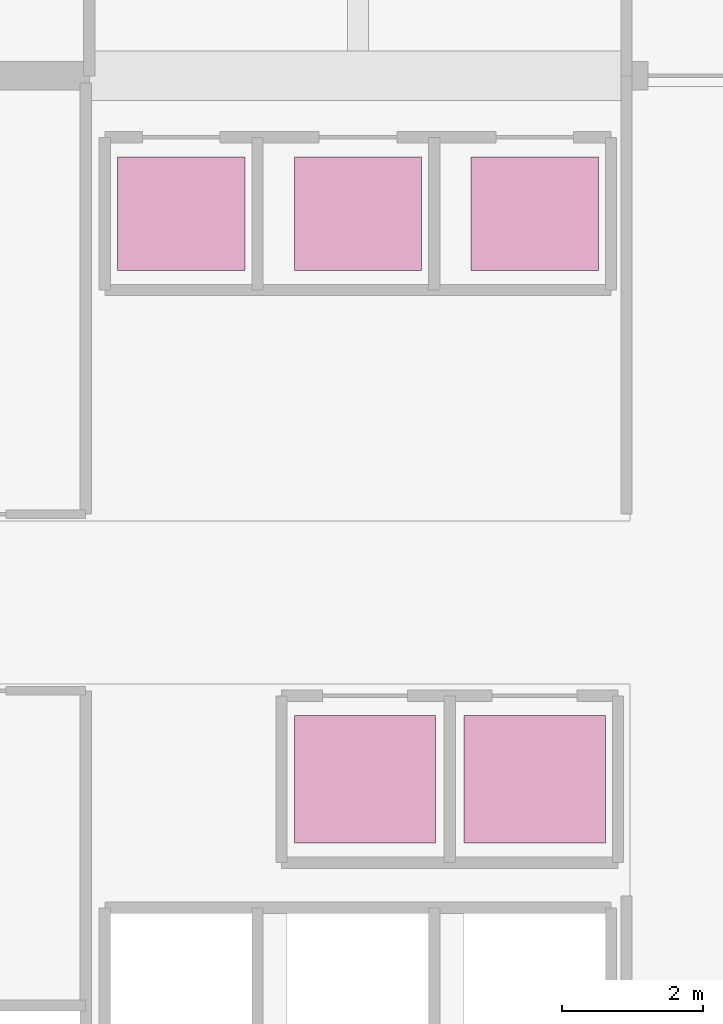
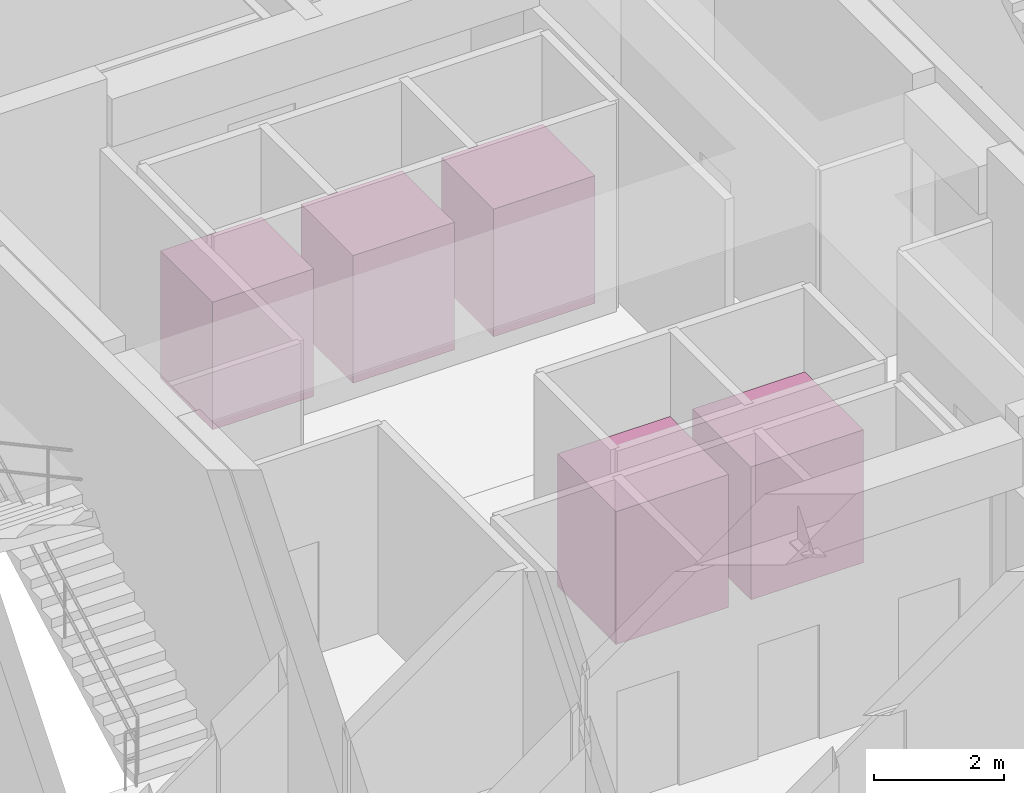
# One storey, part 19 of 19: 5 transport elements.
"""IFC4 building model written with IfcOpenShell, lengths in metres."""

from ifc_helpers import new_model, si_unit, direction, frame, origin, origin_2d, place, context, subcontext, project, spatial, rectangle, extrude, material, type_object, element, save


model = new_model("IFC4")

# Units and contexts
model_context = context("Model", 3, precision=1e-05, world=origin(), true_north=direction((0.0, 1.0)))
body_context = subcontext(model_context, "Body", "Model", "MODEL_VIEW")
ifc_project = project(units=[si_unit("LENGTHUNIT", "METRE"), si_unit("AREAUNIT", "SQUARE_METRE"), si_unit("VOLUMEUNIT", "CUBIC_METRE"), si_unit("PLANEANGLEUNIT", "RADIAN"), si_unit("MASSUNIT", "GRAM", prefix="KILO")], contexts=[model_context])

# Site, building, storey
site_placement = place(None, origin())
site = spatial("IfcSite", under=ifc_project, at=site_placement, CompositionType="ELEMENT")
building_placement = place(site_placement, origin())
building = spatial("IfcBuilding", under=site, at=building_placement, Name="Veldorina Hangang Commons", CompositionType="ELEMENT")
storey_placement = place(building_placement, origin())
storey = spatial("IfcBuildingStorey", under=building, at=storey_placement, Name="L00", CompositionType="ELEMENT", Elevation=0.0)

# Transport elements
ifc_material = material(Name="Stainless Steel Brushed Cab", Category="steel")
transport_element_type_1 = type_object("IfcTransportElementType", Name="LFT-PASS-1600", PredefinedType="ELEVATOR", material=ifc_material)
for number, where, z_axis, x_axis, name in (
    (1, (29.5, 29.5, 0.0), (0.0, 0.0, 1.0), (1.0, 0.0, 0.0), "Elevator PL-L1 (low bank)"),
    (2, (32.0, 29.5, 0.0), (0.0, 0.0, 1.0), (1.0, 0.0, 0.0), "Elevator PL-L2 (low bank)"),
    (3, (34.5, 29.5, 0.0), (0.0, 0.0, 1.0), (1.0, 0.0, 0.0), "Elevator PL-L3 (low bank)"),
):
    element("IfcTransportElement", number, at=place(storey_placement, frame(where, z_axis=z_axis, x_axis=x_axis)), inside=storey, type_object=transport_element_type_1, Name=name, PredefinedType="ELEVATOR", context=body_context, shape_type="SweptSolid", body=[
        extrude(rectangle(XDim=1.800048828125, YDim=1.60009765625, at=origin_2d()), origin(), (0.0, 0.0, 1.0), 2.39990234375),
    ])
transport_element_type_2 = type_object("IfcTransportElementType", Name="LFT-SHUT-2000", PredefinedType="ELEVATOR", material=ifc_material)
for number, where, z_axis, x_axis, name in (
    (4, (32.10009765625, 21.5, 0.0), (0.0, 0.0, 1.0), (1.0, 0.0, 0.0), "Elevator SL-1 (shuttle bank)"),
    (5, (34.5, 21.5, 0.0), (0.0, 0.0, 1.0), (1.0, 0.0, 0.0), "Elevator SL-2 (shuttle bank)"),
):
    element("IfcTransportElement", number, at=place(storey_placement, frame(where, z_axis=z_axis, x_axis=x_axis)), inside=storey, type_object=transport_element_type_2, Name=name, PredefinedType="ELEVATOR", context=body_context, shape_type="SweptSolid", body=[
        extrude(rectangle(XDim=2.0, YDim=1.800048828125, at=origin_2d()), origin(), (0.0, 0.0, 1.0), 2.5),
    ])

save(model, "model.ifc")
